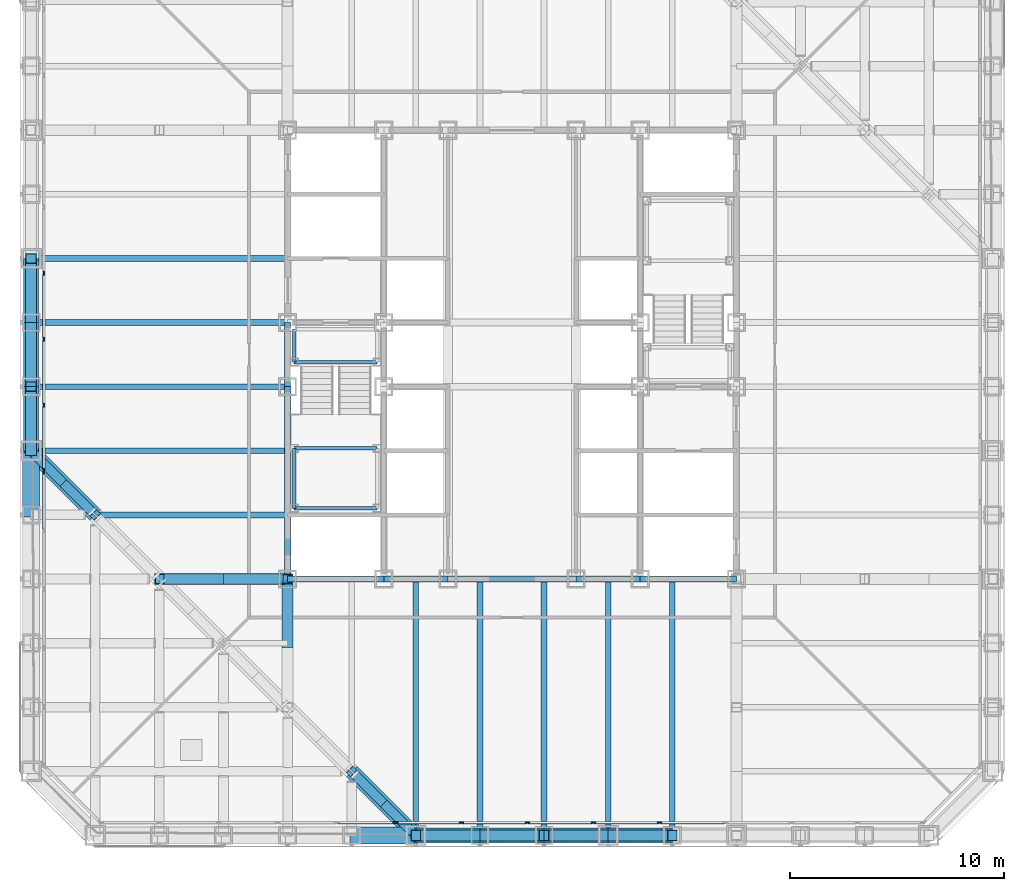
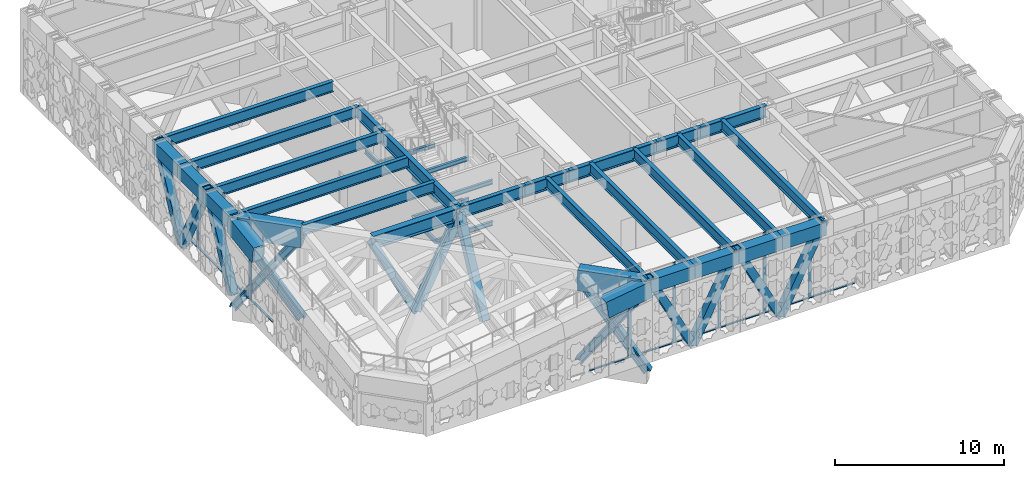
# One storey, part 5 of 31: 37 members, 35 beams, 4 elements without a shape of their own.
"""IFC4 building model written with IfcOpenShell, lengths in metres."""

from ifc_helpers import new_model, si_unit, direction, frame, origin, origin_2d, place, context, subcontext, project, spatial, rectangle, hollow_rectangle, i_section, extrude, material, layer, layer_set, material_profile, profile_set, type_object, element, aggregate, save


model = new_model("IFC4")

# Units and contexts
model_context = context("Model", 3, precision=1e-05, world=origin(), true_north=direction((0.0, 1.0)))
body_context = subcontext(model_context, "Body", "Model", "MODEL_VIEW")
ifc_project = project(units=[si_unit("LENGTHUNIT", "METRE"), si_unit("AREAUNIT", "SQUARE_METRE"), si_unit("VOLUMEUNIT", "CUBIC_METRE"), si_unit("PLANEANGLEUNIT", "RADIAN"), si_unit("MASSUNIT", "GRAM", prefix="KILO")], contexts=[model_context])

# Site, building, storey
site_placement = place(None, origin())
site = spatial("IfcSite", under=ifc_project, at=site_placement, CompositionType="ELEMENT")
building_placement = place(site_placement, origin())
building = spatial("IfcBuilding", under=site, at=building_placement, Name="Chuquiago Exchange Tower", CompositionType="ELEMENT")
storey_placement = place(building_placement, frame((0.0, 0.0, 96.300048828125)))
storey = spatial("IfcBuildingStorey", under=building, at=storey_placement, Name="L20", CompositionType="ELEMENT", Elevation=96.300048828125)

# Beams
ifc_material_1 = material(Name="Steel ASTM A992", Category="steel")
ifc_material_profile_1 = material_profile(ifc_material_1, i_section(OverallWidth=0.307373046875, OverallDepth=0.927001953125, WebThickness=0.01953125, FlangeThickness=0.031982421875, at=origin_2d()), Name="W36X194")
ifc_profile_set_1 = profile_set([ifc_material_profile_1], Name="Steel ASTM A992")
beam_type_1 = type_object("IfcBeamType", Name="B10 W36X194", PredefinedType="BEAM", material=ifc_profile_set_1)
beam_1_placement = place(storey_placement, frame((12.0, 12.0, 5.37646484375), z_axis=(0.0, 1.0, 0.0), x_axis=(-1.0, 0.0, 0.0)))
element("IfcBeam", 1, at=beam_1_placement, inside=storey, type_object=beam_type_1, Name="CB-L21-12_12-12_21", PredefinedType="BEAM", context=body_context, shape_type="SweptSolid", body=[
    extrude(i_section(OverallWidth=0.307373046875, OverallDepth=0.927001953125, WebThickness=0.01953125, FlangeThickness=0.031982421875, at=origin_2d()), origin(), (0.0, 0.0, 1.0), 9.0),
])
ifc_material_2 = material(Name="Steel ASTM A992", Category="steel")
ifc_material_profile_2 = material_profile(ifc_material_2, i_section(OverallWidth=0.2919921875, OverallDepth=0.8583984375, WebThickness=0.01708984375, FlangeThickness=0.031005859375, at=origin_2d()), Name="W33X169")
ifc_profile_set_2 = profile_set([ifc_material_profile_2], Name="Steel ASTM A992")
beam_type_2 = type_object("IfcBeamType", Name="B3 W33X169", PredefinedType="BEAM", material=ifc_profile_set_2)
beam_2_placement = place(storey_placement, frame((12.0, 21.0, 5.41064453125), z_axis=(0.0, 1.0, 0.0), x_axis=(-1.0, 0.0, 0.0)))
element("IfcBeam", 2, at=beam_2_placement, inside=storey, type_object=beam_type_2, Name="CB-L21-12_21-12_24", PredefinedType="BEAM", context=body_context, shape_type="SweptSolid", body=[
    extrude(i_section(OverallWidth=0.2919921875, OverallDepth=0.8583984375, WebThickness=0.01708984375, FlangeThickness=0.031005859375, at=origin_2d()), origin(), (0.0, 0.0, 1.0), 3.0),
])
beam_3_placement = place(storey_placement, frame((12.0, 12.0, 5.41064453125), z_axis=(1.0, 0.0, 0.0), x_axis=(0.0, 1.0, 0.0)))
element("IfcBeam", 3, at=beam_3_placement, inside=storey, type_object=beam_type_2, Name="CB-L21-12_12-16.5_12", PredefinedType="BEAM", context=body_context, shape_type="SweptSolid", body=[
    extrude(i_section(OverallWidth=0.2919921875, OverallDepth=0.8583984375, WebThickness=0.01708984375, FlangeThickness=0.031005859375, at=origin_2d()), origin(), (0.0, 0.0, 1.0), 4.5),
])
beam_4_placement = place(storey_placement, frame((16.5, 12.0, 5.41064453125), z_axis=(1.0, 0.0, 0.0), x_axis=(0.0, 1.0, 0.0)))
element("IfcBeam", 4, at=beam_4_placement, inside=storey, type_object=beam_type_2, Name="CB-L21-16.5_12-19.5_12", PredefinedType="BEAM", context=body_context, shape_type="SweptSolid", body=[
    extrude(i_section(OverallWidth=0.2919921875, OverallDepth=0.8583984375, WebThickness=0.01708984375, FlangeThickness=0.031005859375, at=origin_2d()), origin(), (0.0, 0.0, 1.0), 3.0),
])
beam_5_placement = place(storey_placement, frame((19.5, 12.0, 5.41064453125), z_axis=(1.0, 0.0, 0.0), x_axis=(0.0, 1.0, 0.0)))
element("IfcBeam", 5, at=beam_5_placement, inside=storey, type_object=beam_type_2, Name="CB-L21-19.5_12-25.5_12", PredefinedType="BEAM", context=body_context, shape_type="SweptSolid", body=[
    extrude(i_section(OverallWidth=0.2919921875, OverallDepth=0.8583984375, WebThickness=0.01708984375, FlangeThickness=0.031005859375, at=origin_2d()), origin(), (0.0, 0.0, 1.0), 6.0),
])
beam_6_placement = place(storey_placement, frame((25.5, 12.0, 5.41064453125), z_axis=(1.0, 0.0, 0.0), x_axis=(0.0, 1.0, 0.0)))
element("IfcBeam", 6, at=beam_6_placement, inside=storey, type_object=beam_type_2, Name="CB-L21-25.5_12-28.5_12", PredefinedType="BEAM", context=body_context, shape_type="SweptSolid", body=[
    extrude(i_section(OverallWidth=0.2919921875, OverallDepth=0.8583984375, WebThickness=0.01708984375, FlangeThickness=0.031005859375, at=origin_2d()), origin(), (0.0, 0.0, 1.0), 3.0),
])
beam_7_placement = place(storey_placement, frame((28.5, 12.0, 5.41064453125), z_axis=(1.0, 0.0, 0.0), x_axis=(0.0, 1.0, 0.0)))
element("IfcBeam", 7, at=beam_7_placement, inside=storey, type_object=beam_type_2, Name="CB-L21-28.5_12-33_12", PredefinedType="BEAM", context=body_context, shape_type="SweptSolid", body=[
    extrude(i_section(OverallWidth=0.2919921875, OverallDepth=0.8583984375, WebThickness=0.01708984375, FlangeThickness=0.031005859375, at=origin_2d()), origin(), (0.0, 0.0, 1.0), 4.5),
])
ifc_material_3 = material(Name="Steel ASTM A992", Category="steel")
ifc_material_profile_3 = material_profile(ifc_material_3, i_section(OverallWidth=0.2666015625, OverallDepth=0.761962890625, WebThickness=0.014404296875, FlangeThickness=0.021484375, at=origin_2d()), Name="W30X116")
ifc_profile_set_3 = profile_set([ifc_material_profile_3], Name="Steel ASTM A992")
beam_type_3 = type_object("IfcBeamType", Name="B8 W30X116", PredefinedType="BEAM", material=ifc_profile_set_3)
for number, where, z_axis, x_axis, name in (
    (8, (18.0, 12.0, 5.458984375), (0.0, -1.0, 0.0), (1.0, 0.0, 0.0), "FB-L21-infill-18_12-18_-0-0"),
    (9, (21.0, 12.0, 5.458984375), (0.0, -1.0, 0.0), (1.0, 0.0, 0.0), "FB-L21-infill-21_12-21_-0-0"),
    (10, (24.0, 12.0, 5.458984375), (0.0, -1.0, 0.0), (1.0, 0.0, 0.0), "FB-L21-infill-24_12-24_-0-0"),
    (11, (27.0, 12.0, 5.458984375), (0.0, -1.0, 0.0), (1.0, 0.0, 0.0), "FB-L21-infill-27_12-27_-0-0"),
    (12, (30.0, 12.0, 5.458984375), (0.0, -1.0, 0.0), (1.0, 0.0, 0.0), "FB-L21-infill-30_12-30_-0-0"),
):
    element("IfcBeam", number, at=place(storey_placement, frame(where, z_axis=z_axis, x_axis=x_axis)), inside=storey, type_object=beam_type_3, Name=name, PredefinedType="BEAM", context=body_context, shape_type="SweptSolid", body=[
        extrude(i_section(OverallWidth=0.2666015625, OverallDepth=0.761962890625, WebThickness=0.014404296875, FlangeThickness=0.021484375, at=origin_2d()), origin(), (0.0, 0.0, 1.0), 12.0),
    ])
beam_8_placement = place(storey_placement, frame((12.0, 15.0, 5.458984375), z_axis=(-1.0, 0.0, 0.0), x_axis=(0.0, -1.0, 0.0)))
element("IfcBeam", 13, at=beam_8_placement, inside=storey, type_object=beam_type_3, Name="FB-L21-infill-12_15-3_15-0", PredefinedType="BEAM", context=body_context, shape_type="SweptSolid", body=[
    extrude(i_section(OverallWidth=0.2666015625, OverallDepth=0.761962890625, WebThickness=0.014404296875, FlangeThickness=0.021484375, at=origin_2d()), origin(), (0.0, 0.0, 1.0), 9.0),
])
for number, where, z_axis, x_axis, name in (
    (14, (12.0, 18.0, 5.458984375), (-1.0, 0.0, 0.0), (0.0, -1.0, 0.0), "FB-L21-infill-12_18--0_18-0"),
    (15, (12.0, 21.0, 5.458984375), (-1.0, 0.0, 0.0), (0.0, -1.0, 0.0), "FB-L21-infill-12_21--0_21-0"),
    (16, (12.0, 24.0, 5.458984375), (-1.0, 0.0, 0.0), (0.0, -1.0, 0.0), "FB-L21-infill-12_24--0_24-0"),
    (17, (12.0, 27.0, 5.458984375), (-1.0, 0.0, 0.0), (0.0, -1.0, 0.0), "FB-L21-infill-12_27--0_27-0"),
):
    element("IfcBeam", number, at=place(storey_placement, frame(where, z_axis=z_axis, x_axis=x_axis)), inside=storey, type_object=beam_type_3, Name=name, PredefinedType="BEAM", context=body_context, shape_type="SweptSolid", body=[
        extrude(i_section(OverallWidth=0.2666015625, OverallDepth=0.761962890625, WebThickness=0.014404296875, FlangeThickness=0.021484375, at=origin_2d()), origin(), (0.0, 0.0, 1.0), 12.0),
    ])

# Members
ifc_material_4 = material(Name="Steel ASTM A500 Grade C", Category="steel")
ifc_material_profile_4 = material_profile(ifc_material_4, hollow_rectangle(XDim=0.508056640625, YDim=0.508056640625, WallThickness=0.017822265625, at=origin_2d()), Name="HSS20X20X3/4")
ifc_profile_set_4 = profile_set([ifc_material_profile_4], Name="Steel ASTM A500 Grade C")
member_type_1 = type_object("IfcMemberType", Name="BT2 HSS20X20X3/4", PredefinedType="BRACE", material=ifc_profile_set_4)
for number, where, z_axis, x_axis, name in (
    (18, (21.0, 0.0, 0.0), (-0.456944654405, 0.0, 0.889495128042), (0.0, -1.0, 0.0), "Belt truss L20 diagonal"),
    (19, (21.0, 0.0, 0.0), (0.456944654405, 0.0, 0.889495128042), (0.0, 1.0, 0.0), "Belt truss L20 diagonal"),
    (20, (27.0, 0.0, 0.0), (-0.456944654405, 0.0, 0.889495128042), (0.0, -1.0, 0.0), "Belt truss L20 diagonal"),
    (21, (27.0, 0.0, 0.0), (0.456944654405, 0.0, 0.889495128042), (0.0, 1.0, 0.0), "Belt truss L20 diagonal"),
    (22, (0.0, 24.0, 0.0), (0.0, 0.456944654405, 0.889495128042), (-1.0, 0.0, 0.0), "Belt truss L20 diagonal"),
    (23, (0.0, 24.0, 0.0), (0.0, -0.456944654405, 0.889495128042), (1.0, 0.0, 0.0), "Belt truss L20 diagonal"),
    (24, (0.0, 18.0, 0.0), (0.0, 0.456944654405, 0.889495128042), (-1.0, 0.0, 0.0), "Belt truss L20 diagonal"),
):
    element("IfcMember", number, at=place(storey_placement, frame(where, z_axis=z_axis, x_axis=x_axis)), inside=storey, type_object=member_type_1, Name=name, PredefinedType="BRACE", context=body_context, shape_type="SweptSolid", body=[
        extrude(hollow_rectangle(XDim=0.508056640625, YDim=0.508056640625, WallThickness=0.017822265625, at=origin_2d()), origin(), (0.0, 0.0, 1.0), 6.5654296875),
    ])

# Curtain wall, member
ifc_material_5 = material(Name="Aluminium curtain wall system", Category="aluminium")
ifc_layer = layer(ifc_material_5, 0.199951171875)
ifc_layer_set = layer_set([ifc_layer], Name="CW6 plant floor louvre wall")
curtain_wall_type = type_object("IfcCurtainWallType", Name="CW6 plant floor louvre wall", PredefinedType="NOTDEFINED", material=ifc_layer_set)
curtain_wall_1_placement = place(storey_placement, origin())
curtain_wall_1 = element("IfcCurtainWall", 25, at=curtain_wall_1_placement, inside=storey, type_object=curtain_wall_type, Name="CW6 curtain wall L20", PredefinedType="NOTDEFINED")
ifc_material_6 = material(Name="Aluminium mullion, pale anodised", Category="aluminium")
ifc_material_profile_5 = material_profile(ifc_material_6, rectangle(XDim=0.074951171875, YDim=0.199951171875, at=origin_2d()), Name="AL 75x200")
ifc_profile_set_5 = profile_set([ifc_material_profile_5], Name="Aluminium mullion, pale anodised")
member_type_2 = type_object("IfcMemberType", Name="CW6-M mullion 75x200", PredefinedType="MULLION", material=ifc_profile_set_5)
member_1_placement = place(storey_placement, frame((17.0087890625, 0.60009765625, 0.0), z_axis=(0.0, 0.0, 1.0), x_axis=(0.0, 1.0, 0.0)))
member_1 = element("IfcMember", 26, at=member_1_placement, type_object=member_type_2, Name="CW6 mullion 6", PredefinedType="MULLION", context=body_context, shape_type="SweptSolid", body=[
    extrude(rectangle(XDim=0.074951171875, YDim=0.199951171875, at=origin_2d()), origin(), (0.0, 0.0, 1.0), 3.66845703125),
])

# Curtain wall, members
curtain_wall_2_placement = place(storey_placement, origin())
curtain_wall_2 = element("IfcCurtainWall", 27, at=curtain_wall_2_placement, inside=storey, type_object=curtain_wall_type, Name="CW6 curtain wall L20", PredefinedType="NOTDEFINED")
member_2_placement = place(storey_placement, frame((17.083984375, 0.60009765625, 0.0), z_axis=(0.0, 0.0, 1.0), x_axis=(0.0, 1.0, 0.0)))
member_2 = element("IfcMember", 28, at=member_2_placement, type_object=member_type_2, Name="CW6 mullion 1", PredefinedType="MULLION", context=body_context, shape_type="SweptSolid", body=[
    extrude(rectangle(XDim=0.074951171875, YDim=0.199951171875, at=origin_2d()), origin(), (0.0, 0.0, 1.0), 5.83984375),
])
member_3_placement = place(storey_placement, frame((20.134521484375, 0.60009765625, 0.0), z_axis=(0.0, 0.0, 1.0), x_axis=(0.0, 1.0, 0.0)))
member_3 = element("IfcMember", 29, at=member_3_placement, type_object=member_type_2, Name="CW6 mullion 2", PredefinedType="MULLION", context=body_context, shape_type="SweptSolid", body=[
    extrude(rectangle(XDim=0.074951171875, YDim=0.199951171875, at=origin_2d()), origin(), (0.0, 0.0, 1.0), 5.83984375),
])
member_4_placement = place(storey_placement, frame((23.22265625, 0.60009765625, 0.0), z_axis=(0.0, 0.0, 1.0), x_axis=(0.0, 1.0, 0.0)))
member_4 = element("IfcMember", 30, at=member_4_placement, type_object=member_type_2, Name="CW6 mullion 3", PredefinedType="MULLION", context=body_context, shape_type="SweptSolid", body=[
    extrude(rectangle(XDim=0.074951171875, YDim=0.199951171875, at=origin_2d()), origin(), (0.0, 0.0, 1.0), 5.83984375),
])
member_5_placement = place(storey_placement, frame((26.310791015625, 0.60009765625, 0.0), z_axis=(0.0, 0.0, 1.0), x_axis=(0.0, 1.0, 0.0)))
member_5 = element("IfcMember", 31, at=member_5_placement, type_object=member_type_2, Name="CW6 mullion 4", PredefinedType="MULLION", context=body_context, shape_type="SweptSolid", body=[
    extrude(rectangle(XDim=0.074951171875, YDim=0.199951171875, at=origin_2d()), origin(), (0.0, 0.0, 1.0), 5.83984375),
])
member_6_placement = place(storey_placement, frame((29.39892578125, 0.60009765625, 0.0), z_axis=(0.0, 0.0, 1.0), x_axis=(0.0, 1.0, 0.0)))
member_6 = element("IfcMember", 32, at=member_6_placement, type_object=member_type_2, Name="CW6 mullion 5", PredefinedType="MULLION", context=body_context, shape_type="SweptSolid", body=[
    extrude(rectangle(XDim=0.074951171875, YDim=0.199951171875, at=origin_2d()), origin(), (0.0, 0.0, 1.0), 5.83984375),
])

curtain_wall_3_placement = place(storey_placement, origin())
curtain_wall_3 = element("IfcCurtainWall", 33, at=curtain_wall_3_placement, inside=storey, type_object=curtain_wall_type, Name="CW6 curtain wall L20", PredefinedType="NOTDEFINED")
member_7_placement = place(storey_placement, frame((0.60009765625, 26.310791015625, 0.0), z_axis=(0.0, 0.0, 1.0), x_axis=(1.0, 0.0, 0.0)))
member_7 = element("IfcMember", 34, at=member_7_placement, type_object=member_type_2, Name="CW6 mullion 6", PredefinedType="MULLION", context=body_context, shape_type="SweptSolid", body=[
    extrude(rectangle(XDim=0.074951171875, YDim=0.199951171875, at=origin_2d()), origin(), (0.0, 0.0, 1.0), 5.83984375),
])
member_8_placement = place(storey_placement, frame((0.60009765625, 23.22265625, 0.0), z_axis=(0.0, 0.0, 1.0), x_axis=(1.0, 0.0, 0.0)))
member_8 = element("IfcMember", 35, at=member_8_placement, type_object=member_type_2, Name="CW6 mullion 7", PredefinedType="MULLION", context=body_context, shape_type="SweptSolid", body=[
    extrude(rectangle(XDim=0.074951171875, YDim=0.199951171875, at=origin_2d()), origin(), (0.0, 0.0, 1.0), 5.83984375),
])
member_9_placement = place(storey_placement, frame((0.60009765625, 20.134521484375, 0.0), z_axis=(0.0, 0.0, 1.0), x_axis=(1.0, 0.0, 0.0)))
member_9 = element("IfcMember", 36, at=member_9_placement, type_object=member_type_2, Name="CW6 mullion 8", PredefinedType="MULLION", context=body_context, shape_type="SweptSolid", body=[
    extrude(rectangle(XDim=0.074951171875, YDim=0.199951171875, at=origin_2d()), origin(), (0.0, 0.0, 1.0), 5.83984375),
])
member_10_placement = place(storey_placement, frame((0.60009765625, 17.083984375, 0.0), z_axis=(0.0, 0.0, 1.0), x_axis=(1.0, 0.0, 0.0)))
member_10 = element("IfcMember", 37, at=member_10_placement, type_object=member_type_2, Name="CW6 mullion 9", PredefinedType="MULLION", context=body_context, shape_type="SweptSolid", body=[
    extrude(rectangle(XDim=0.074951171875, YDim=0.199951171875, at=origin_2d()), origin(), (0.0, 0.0, 1.0), 5.83984375),
])

# Curtain wall, member
curtain_wall_4_placement = place(storey_placement, origin())
curtain_wall_4 = element("IfcCurtainWall", 38, at=curtain_wall_4_placement, inside=storey, type_object=curtain_wall_type, Name="CW6 curtain wall L20", PredefinedType="NOTDEFINED")
member_11_placement = place(storey_placement, frame((0.60009765625, 17.009033203125, 0.0), z_axis=(0.0, 0.0, 1.0), x_axis=(1.0, 0.0, 0.0)))
member_11 = element("IfcMember", 39, at=member_11_placement, type_object=member_type_2, Name="CW6 mullion 1", PredefinedType="MULLION", context=body_context, shape_type="SweptSolid", body=[
    extrude(rectangle(XDim=0.074951171875, YDim=0.199951171875, at=origin_2d()), origin(), (0.0, 0.0, 1.0), 3.66845703125),
])

# Member
ifc_material_7 = material(Name="Aluminium transom, pale anodised", Category="aluminium")
ifc_material_profile_6 = material_profile(ifc_material_7, rectangle(XDim=0.1201171875, YDim=0.074951171875, at=origin_2d()), Name="AL 120x75")
ifc_profile_set_6 = profile_set([ifc_material_profile_6], Name="Aluminium transom, pale anodised")
member_type_3 = type_object("IfcMemberType", Name="CW6-T transom 75x120", PredefinedType="MULLION", material=ifc_profile_set_6)
member_12_placement = place(storey_placement, frame((14.32421875, 0.60009765625, 0.037353515625), z_axis=(1.0, 0.0, 0.0), x_axis=(0.0, 1.0, 0.0)))
member_12 = element("IfcMember", 40, at=member_12_placement, type_object=member_type_3, Name="CW6 transom 5.1", PredefinedType="MULLION", context=body_context, shape_type="SweptSolid", body=[
    extrude(rectangle(XDim=0.1201171875, YDim=0.074951171875, at=origin_2d()), origin(), (0.0, 0.0, 1.0), 2.647216796875),
])

aggregate(curtain_wall_1, [member_1, member_12])

member_13_placement = place(storey_placement, frame((17.121337890625, 0.60009765625, 0.037353515625), z_axis=(1.0, 0.0, 0.0), x_axis=(0.0, 1.0, 0.0)))
member_13 = element("IfcMember", 41, at=member_13_placement, type_object=member_type_3, Name="CW6 transom 1.1", PredefinedType="MULLION", context=body_context, shape_type="SweptSolid", body=[
    extrude(rectangle(XDim=0.1201171875, YDim=0.074951171875, at=origin_2d()), origin(), (0.0, 0.0, 1.0), 2.9755859375),
])

member_14_placement = place(storey_placement, frame((20.172119140625, 0.60009765625, 0.037353515625), z_axis=(1.0, 0.0, 0.0), x_axis=(0.0, 1.0, 0.0)))
member_14 = element("IfcMember", 42, at=member_14_placement, type_object=member_type_3, Name="CW6 transom 2.1", PredefinedType="MULLION", context=body_context, shape_type="SweptSolid", body=[
    extrude(rectangle(XDim=0.1201171875, YDim=0.074951171875, at=origin_2d()), origin(), (0.0, 0.0, 1.0), 3.012939453125),
])

member_15_placement = place(storey_placement, frame((23.26025390625, 0.60009765625, 0.037353515625), z_axis=(1.0, 0.0, 0.0), x_axis=(0.0, 1.0, 0.0)))
member_15 = element("IfcMember", 43, at=member_15_placement, type_object=member_type_3, Name="CW6 transom 3.1", PredefinedType="MULLION", context=body_context, shape_type="SweptSolid", body=[
    extrude(rectangle(XDim=0.1201171875, YDim=0.074951171875, at=origin_2d()), origin(), (0.0, 0.0, 1.0), 3.012939453125),
])

member_16_placement = place(storey_placement, frame((26.348388671875, 0.60009765625, 0.037353515625), z_axis=(1.0, 0.0, 0.0), x_axis=(0.0, 1.0, 0.0)))
member_16 = element("IfcMember", 44, at=member_16_placement, type_object=member_type_3, Name="CW6 transom 4.1", PredefinedType="MULLION", context=body_context, shape_type="SweptSolid", body=[
    extrude(rectangle(XDim=0.1201171875, YDim=0.074951171875, at=origin_2d()), origin(), (0.0, 0.0, 1.0), 3.012939453125),
])

member_17_placement = place(storey_placement, frame((29.4365234375, 0.60009765625, 0.037353515625), z_axis=(1.0, 0.0, 0.0), x_axis=(0.0, 1.0, 0.0)))
member_17 = element("IfcMember", 45, at=member_17_placement, type_object=member_type_3, Name="CW6 transom 5.1", PredefinedType="MULLION", context=body_context, shape_type="SweptSolid", body=[
    extrude(rectangle(XDim=0.1201171875, YDim=0.074951171875, at=origin_2d()), origin(), (0.0, 0.0, 1.0), 3.01318359375),
])

aggregate(curtain_wall_2, [member_2, member_3, member_4, member_5, member_6, member_13, member_14, member_15, member_16, member_17])

member_18_placement = place(storey_placement, frame((0.60009765625, 26.2734375, 0.037353515625), z_axis=(0.0, -1.0, 0.0), x_axis=(1.0, 0.0, 0.0)))
member_18 = element("IfcMember", 46, at=member_18_placement, type_object=member_type_3, Name="CW6 transom 6.1", PredefinedType="MULLION", context=body_context, shape_type="SweptSolid", body=[
    extrude(rectangle(XDim=0.1201171875, YDim=0.074951171875, at=origin_2d()), origin(), (0.0, 0.0, 1.0), 3.01318359375),
])

member_19_placement = place(storey_placement, frame((0.60009765625, 23.185302734375, 0.037353515625), z_axis=(0.0, -1.0, 0.0), x_axis=(1.0, 0.0, 0.0)))
member_19 = element("IfcMember", 47, at=member_19_placement, type_object=member_type_3, Name="CW6 transom 7.1", PredefinedType="MULLION", context=body_context, shape_type="SweptSolid", body=[
    extrude(rectangle(XDim=0.1201171875, YDim=0.074951171875, at=origin_2d()), origin(), (0.0, 0.0, 1.0), 3.01318359375),
])

member_20_placement = place(storey_placement, frame((0.60009765625, 20.09716796875, 0.037353515625), z_axis=(0.0, -1.0, 0.0), x_axis=(1.0, 0.0, 0.0)))
member_20 = element("IfcMember", 48, at=member_20_placement, type_object=member_type_3, Name="CW6 transom 8.1", PredefinedType="MULLION", context=body_context, shape_type="SweptSolid", body=[
    extrude(rectangle(XDim=0.1201171875, YDim=0.074951171875, at=origin_2d()), origin(), (0.0, 0.0, 1.0), 2.9755859375),
])

aggregate(curtain_wall_3, [member_7, member_8, member_9, member_10, member_18, member_19, member_20])

member_21_placement = place(storey_placement, frame((0.60009765625, 16.971435546875, 0.037353515625), z_axis=(0.0, -1.0, 0.0), x_axis=(1.0, 0.0, 0.0)))
member_21 = element("IfcMember", 49, at=member_21_placement, type_object=member_type_3, Name="CW6 transom 1.1", PredefinedType="MULLION", context=body_context, shape_type="SweptSolid", body=[
    extrude(rectangle(XDim=0.1201171875, YDim=0.074951171875, at=origin_2d()), origin(), (0.0, 0.0, 1.0), 2.64697265625),
])

aggregate(curtain_wall_4, [member_11, member_21])

# Beams
ifc_material_8 = material(Name="Steel ASTM A572 Grade 50", Category="steel")
ifc_material_profile_7 = material_profile(ifc_material_8, hollow_rectangle(XDim=0.800048828125, YDim=1.199951171875, WallThickness=0.10009765625, at=origin_2d()), Name="BOX1200X800X100")
ifc_profile_set_7 = profile_set([ifc_material_profile_7], Name="Steel ASTM A572 Grade 50")
beam_type_4 = type_object("IfcBeamType", Name="EB1 BOX1200X800X100", PredefinedType="BEAM", material=ifc_profile_set_7)
for number, where, z_axis, x_axis, name in (
    (50, (15.0, 0.0, 4.7490234375), (0.98889144561, 0.0, 0.148639526371), (0.0, 1.0, 0.0), "Facet roof edge beam L20"),
    (51, (0.0, 18.0, 5.199951171875), (0.0, -0.98889144561, -0.148639526371), (1.0, 0.0, 0.0), "Facet roof edge beam L20"),
):
    element("IfcBeam", number, at=place(storey_placement, frame(where, z_axis=z_axis, x_axis=x_axis)), inside=storey, type_object=beam_type_4, Name=name, PredefinedType="BEAM", context=body_context, shape_type="SweptSolid", body=[
        extrude(hollow_rectangle(XDim=0.800048828125, YDim=1.199951171875, WallThickness=0.10009765625, at=origin_2d()), origin(), (0.0, 0.0, 1.0), 3.03369140625),
    ])
ifc_material_9 = material(Name="Steel ASTM A992", Category="steel")
ifc_material_profile_8 = material_profile(ifc_material_9, i_section(OverallWidth=0.424072265625, OverallDepth=0.947509765625, WebThickness=0.02392578125, FlangeThickness=0.042724609375, at=origin_2d()), Name="W36X302")
ifc_profile_set_8 = profile_set([ifc_material_profile_8], Name="Steel ASTM A992")
beam_type_5 = type_object("IfcBeamType", Name="G4 W36X302", PredefinedType="BEAM", material=ifc_profile_set_8)
beam_9_placement = place(storey_placement, frame((12.0, 12.0, 5.3662109375), z_axis=(-1.0, 0.0, 0.0), x_axis=(0.0, -1.0, 0.0)))
element("IfcBeam", 52, at=beam_9_placement, inside=storey, type_object=beam_type_5, Name="FB-L21-girder-12_12-6_12-0", PredefinedType="BEAM", context=body_context, shape_type="SweptSolid", body=[
    extrude(i_section(OverallWidth=0.424072265625, OverallDepth=0.947509765625, WebThickness=0.02392578125, FlangeThickness=0.042724609375, at=origin_2d()), origin(), (0.0, 0.0, 1.0), 6.0),
])
ifc_material_10 = material(Name="Steel ASTM A992", Category="steel")
ifc_material_profile_9 = material_profile(ifc_material_10, i_section(OverallWidth=0.164794921875, OverallDepth=0.309814453125, WebThickness=0.005859375, FlangeThickness=0.009765625, at=origin_2d()), Name="W12X26")
ifc_profile_set_9 = profile_set([ifc_material_profile_9], Name="Steel ASTM A992")
beam_type_6 = type_object("IfcBeamType", Name="LS1 W12X26", PredefinedType="BEAM", material=ifc_profile_set_9)
beam_10_placement = place(storey_placement, frame((12.31005859375, 15.31005859375, 1.14501953125), z_axis=(0.0, 1.0, 0.0), x_axis=(-1.0, 0.0, 0.0)))
element("IfcBeam", 53, at=beam_10_placement, inside=storey, type_object=beam_type_6, Name="Stair ST1 L20 landing 1 stringer", PredefinedType="BEAM", context=body_context, shape_type="SweptSolid", body=[
    extrude(i_section(OverallWidth=0.164794921875, OverallDepth=0.309814453125, WebThickness=0.005859375, FlangeThickness=0.009765625, at=origin_2d()), origin(), (0.0, 0.0, 1.0), 2.800048828125),
])
beam_11_placement = place(storey_placement, frame((12.31005859375, 22.14990234375, 2.64501953125), z_axis=(0.0, 1.0, 0.0), x_axis=(-1.0, 0.0, 0.0)))
element("IfcBeam", 54, at=beam_11_placement, inside=storey, type_object=beam_type_6, Name="Stair ST1 L20 landing 2 stringer", PredefinedType="BEAM", context=body_context, shape_type="SweptSolid", body=[
    extrude(i_section(OverallWidth=0.164794921875, OverallDepth=0.309814453125, WebThickness=0.005859375, FlangeThickness=0.009765625, at=origin_2d()), origin(), (0.0, 0.0, 1.0), 1.5400390625),
])
beam_12_placement = place(storey_placement, frame((12.31005859375, 15.31005859375, 4.14501953125), z_axis=(0.0, 1.0, 0.0), x_axis=(-1.0, 0.0, 0.0)))
element("IfcBeam", 55, at=beam_12_placement, inside=storey, type_object=beam_type_6, Name="Stair ST1 L20 landing 3 stringer", PredefinedType="BEAM", context=body_context, shape_type="SweptSolid", body=[
    extrude(i_section(OverallWidth=0.164794921875, OverallDepth=0.309814453125, WebThickness=0.005859375, FlangeThickness=0.009765625, at=origin_2d()), origin(), (0.0, 0.0, 1.0), 2.800048828125),
])
ifc_material_11 = material(Name="Steel ASTM A992", Category="steel")
ifc_material_profile_10 = material_profile(ifc_material_11, i_section(OverallWidth=0.164794921875, OverallDepth=0.309814453125, WebThickness=0.005859375, FlangeThickness=0.009765625, at=origin_2d()), Name="W12X26")
ifc_profile_set_10 = profile_set([ifc_material_profile_10], Name="Steel ASTM A992")
beam_type_7 = type_object("IfcBeamType", Name="LT1 W12X26", PredefinedType="BEAM", material=ifc_profile_set_10)
for number, where, z_axis, x_axis, name in (
    (56, (12.31005859375, 15.31005859375, 1.14501953125), (1.0, 0.0, 0.0), (0.0, 1.0, 0.0), "Stair ST1 L20 landing 1 trimmer"),
    (57, (12.31005859375, 18.110107421875, 1.14501953125), (1.0, 0.0, 0.0), (0.0, 1.0, 0.0), "Stair ST1 L20 landing 1 trimmer"),
    (58, (12.31005859375, 22.14990234375, 2.64501953125), (1.0, 0.0, 0.0), (0.0, 1.0, 0.0), "Stair ST1 L20 landing 2 trimmer"),
    (59, (12.31005859375, 15.31005859375, 4.14501953125), (1.0, 0.0, 0.0), (0.0, 1.0, 0.0), "Stair ST1 L20 landing 3 trimmer"),
    (60, (12.31005859375, 18.110107421875, 4.14501953125), (1.0, 0.0, 0.0), (0.0, 1.0, 0.0), "Stair ST1 L20 landing 3 trimmer"),
):
    element("IfcBeam", number, at=place(storey_placement, frame(where, z_axis=z_axis, x_axis=x_axis)), inside=storey, type_object=beam_type_7, Name=name, PredefinedType="BEAM", context=body_context, shape_type="SweptSolid", body=[
        extrude(i_section(OverallWidth=0.164794921875, OverallDepth=0.309814453125, WebThickness=0.005859375, FlangeThickness=0.009765625, at=origin_2d()), origin(), (0.0, 0.0, 1.0), 3.8798828125),
    ])

# Members
ifc_material_12 = material(Name="Steel ASTM A572 Grade 50", Category="steel")
ifc_material_profile_11 = material_profile(ifc_material_12, hollow_rectangle(XDim=0.5, YDim=0.5, WallThickness=0.0400390625, at=origin_2d()), Name="BOX500X500X40")
ifc_profile_set_11 = profile_set([ifc_material_profile_11], Name="Steel ASTM A572 Grade 50")
member_type_4 = type_object("IfcMemberType", Name="OT1 BOX500X500X40", PredefinedType="BRACE", material=ifc_profile_set_11)
for number, where, z_axis, x_axis, name in (
    (61, (12.0, 12.0, 5.3662109375), (0.0, -0.4472135955, -0.894427191), (1.0, 0.0, 0.0), "Outrigger diagonal L20"),
    (62, (12.0, 12.0, 5.3662109375), (-0.4472135955, 0.0, -0.894427191), (0.0, -1.0, 0.0), "Outrigger diagonal L20"),
    (63, (9.0, 12.0, -0.6337890625), (-0.4472135955, 0.0, 0.894427191), (0.0, -1.0, 0.0), "Outrigger diagonal L20"),
):
    element("IfcMember", number, at=place(storey_placement, frame(where, z_axis=z_axis, x_axis=x_axis)), inside=storey, type_object=member_type_4, Name=name, PredefinedType="BRACE", context=body_context, shape_type="SweptSolid", body=[
        extrude(hollow_rectangle(XDim=0.5, YDim=0.5, WallThickness=0.0400390625, at=origin_2d()), origin(), (0.0, 0.0, 1.0), 6.708251953125),
    ])

# Beams
ifc_material_13 = material(Name="Steel ASTM A572 Grade 50", Category="steel")
ifc_material_profile_12 = material_profile(ifc_material_13, hollow_rectangle(XDim=0.699951171875, YDim=0.949951171875, WallThickness=0.10009765625, at=origin_2d()), Name="BOX950X700X100")
ifc_profile_set_12 = profile_set([ifc_material_profile_12], Name="Steel ASTM A572 Grade 50")
beam_type_8 = type_object("IfcBeamType", Name="SP5 BOX950X700X100", PredefinedType="SPANDREL", material=ifc_profile_set_12)
for number, where, z_axis, x_axis, name in (
    (64, (18.0, 0.0, 5.364990234375), (1.0, 0.0, 0.0), (0.0, 1.0, 0.0), "SPB-L21-18_0-21_0"),
    (65, (21.0, 0.0, 5.364990234375), (1.0, 0.0, 0.0), (0.0, 1.0, 0.0), "SPB-L21-21_0-24_0"),
    (66, (24.0, 0.0, 5.364990234375), (1.0, 0.0, 0.0), (0.0, 1.0, 0.0), "SPB-L21-24_0-27_0"),
    (67, (27.0, 0.0, 5.364990234375), (1.0, 0.0, 0.0), (0.0, 1.0, 0.0), "SPB-L21-27_0-30_0"),
    (68, (0.0, 27.0, 5.364990234375), (0.0, -1.0, 0.0), (1.0, 0.0, 0.0), "SPB-L21-0_27-0_24"),
    (69, (0.0, 24.0, 5.364990234375), (0.0, -1.0, 0.0), (1.0, 0.0, 0.0), "SPB-L21-0_24-0_21"),
    (70, (0.0, 21.0, 5.364990234375), (0.0, -1.0, 0.0), (1.0, 0.0, 0.0), "SPB-L21-0_21-0_18"),
):
    element("IfcBeam", number, at=place(storey_placement, frame(where, z_axis=z_axis, x_axis=x_axis)), inside=storey, type_object=beam_type_8, Name=name, PredefinedType="SPANDREL", context=body_context, shape_type="SweptSolid", body=[
        extrude(hollow_rectangle(XDim=0.699951171875, YDim=0.949951171875, WallThickness=0.10009765625, at=origin_2d()), origin(), (0.0, 0.0, 1.0), 3.0),
    ])

# Members
ifc_material_14 = material(Name="Steel ASTM A572 Grade 50", Category="steel")
ifc_material_profile_13 = material_profile(ifc_material_14, hollow_rectangle(XDim=0.699951171875, YDim=1.5, WallThickness=0.080078125, at=origin_2d()), Name="BOX1500X700X80")
ifc_profile_set_13 = profile_set([ifc_material_profile_13], Name="Steel ASTM A572 Grade 50")
member_type_5 = type_object("IfcMemberType", Name="TT1 BOX1500X700X80", PredefinedType="CHORD", material=ifc_profile_set_13)
for number, where, z_axis, x_axis, name in (
    (71, (0.0, 18.0, 5.08984375), (0.707106781187, -0.707106781187, 0.0), (0.707106781187, 0.707106781187, 0.0), "Transfer truss L20 SW top chord"),
    (72, (15.0, 3.0, 5.08984375), (0.707106781187, -0.707106781187, 0.0), (0.707106781187, 0.707106781187, 0.0), "Transfer truss L20 SW top chord"),
):
    element("IfcMember", number, at=place(storey_placement, frame(where, z_axis=z_axis, x_axis=x_axis)), inside=storey, type_object=member_type_5, Name=name, PredefinedType="CHORD", context=body_context, shape_type="SweptSolid", body=[
        extrude(hollow_rectangle(XDim=0.699951171875, YDim=1.5, WallThickness=0.080078125, at=origin_2d()), origin(), (0.0, 0.0, 1.0), 4.24267578125),
    ])
ifc_material_15 = material(Name="Steel ASTM A992", Category="steel")
ifc_material_profile_14 = material_profile(ifc_material_15, i_section(OverallWidth=0.436767578125, OverallDepth=0.51318359375, WebThickness=0.060546875, FlangeThickness=0.096923828125, at=origin_2d()), Name="W14X550")
ifc_profile_set_14 = profile_set([ifc_material_profile_14], Name="Steel ASTM A992")
member_type_6 = type_object("IfcMemberType", Name="TT4 W14X550", PredefinedType="BRACE", material=ifc_profile_set_14)
for number, where, z_axis, x_axis, name in (
    (73, (0.0, 18.0, -0.91015625), (0.408248290464, -0.408248290464, 0.816496580928), (0.707106781187, 0.707106781187, 0.0), "Transfer truss L20 SW diagonal"),
    (74, (3.0, 15.0, -0.91015625), (-0.408248290464, 0.408248290464, 0.816496580928), (-0.707106781187, -0.707106781187, 0.0), "Transfer truss L20 SW counter-diagonal"),
    (75, (18.0, 0.0, -0.91015625), (-0.408248290464, 0.408248290464, 0.816496580928), (-0.707106781187, -0.707106781187, 0.0), "Transfer truss L20 SW diagonal"),
    (76, (15.0, 3.0, -0.91015625), (0.408248290464, -0.408248290464, 0.816496580928), (0.707106781187, 0.707106781187, 0.0), "Transfer truss L20 SW counter-diagonal"),
):
    element("IfcMember", number, at=place(storey_placement, frame(where, z_axis=z_axis, x_axis=x_axis)), inside=storey, type_object=member_type_6, Name=name, PredefinedType="BRACE", context=body_context, shape_type="SweptSolid", body=[
        extrude(i_section(OverallWidth=0.436767578125, OverallDepth=0.51318359375, WebThickness=0.060546875, FlangeThickness=0.096923828125, at=origin_2d()), origin(), (0.0, 0.0, 1.0), 7.348388671875),
    ])

save(model, "model.ifc")
